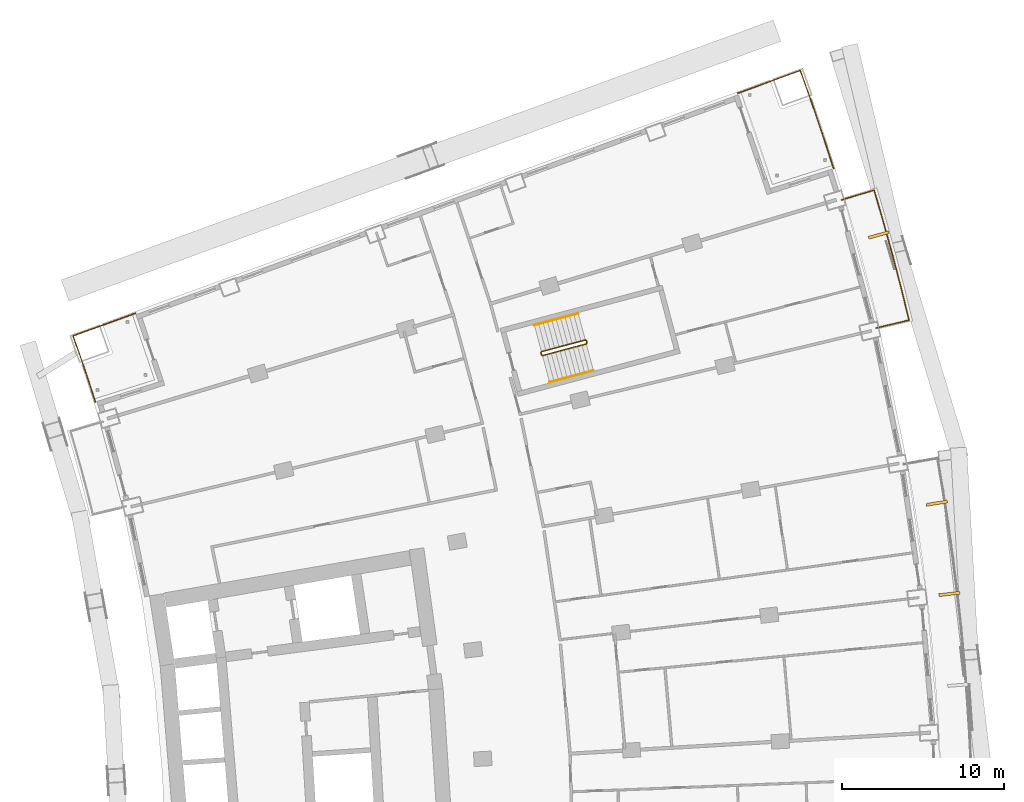
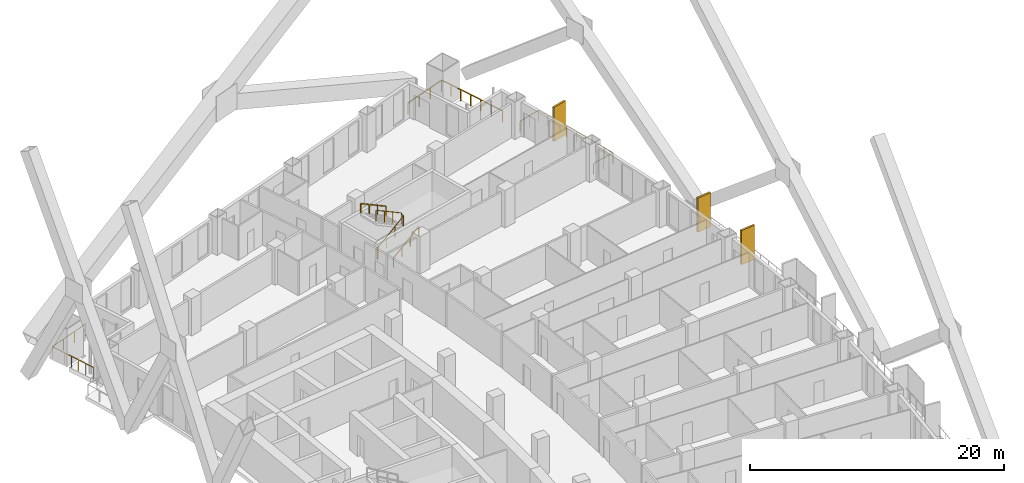
# One storey, part 25 of 25: 6 railings, 3 shading devices.
"""IFC4 building model written with IfcOpenShell, lengths in metres."""

from ifc_helpers import new_model, si_unit, direction, frame, origin, origin_2d, place, context, subcontext, project, spatial, rectangle, extrude, material, layer, layer_set, type_object, element, save


model = new_model("IFC4")

# Units and contexts
model_context = context("Model", 3, precision=1e-05, world=origin(), true_north=direction((0.0, 1.0)))
body_context = subcontext(model_context, "Body", "Model", "MODEL_VIEW")
ifc_project = project(units=[si_unit("LENGTHUNIT", "METRE"), si_unit("AREAUNIT", "SQUARE_METRE"), si_unit("VOLUMEUNIT", "CUBIC_METRE"), si_unit("PLANEANGLEUNIT", "RADIAN"), si_unit("MASSUNIT", "GRAM", prefix="KILO")], contexts=[model_context])

# Site, building, storey
site_placement = place(None, origin())
site = spatial("IfcSite", under=ifc_project, at=site_placement, CompositionType="ELEMENT")
building_placement = place(site_placement, origin())
building = spatial("IfcBuilding", under=site, at=building_placement, Name="Alderwake Tower", CompositionType="ELEMENT")
storey_placement = place(building_placement, frame((0.0, 0.0, 32.0)))
storey = spatial("IfcBuildingStorey", under=building, at=storey_placement, Name="L06", CompositionType="ELEMENT", Elevation=32.0)

# Railings
ifc_material_1 = material(Name="Stainless steel 316 rail and posts", Category="steel")
railing_type_1 = type_object("IfcRailingType", Name="Balcony guard 1100", PredefinedType="GUARDRAIL", material=ifc_material_1)
railing_1_placement = place(storey_placement, frame((59.88037109375, 94.345703125, 0.0)))
element("IfcRailing", 1, at=railing_1_placement, inside=storey, type_object=railing_type_1, Name="Guard BF11", PredefinedType="GUARDRAIL", context=body_context, shape_type="SweptSolid", body=[
    extrude(rectangle(XDim=0.048095703125, YDim=0.048095703125, at=origin_2d()), frame((0.0, 0.0, 1.076171875), z_axis=(0.972757543149, 0.231824852521, 0.0), x_axis=(-0.231824852521, 0.972757543149, 0.0)), (0.0, 0.0, 1.0), 2.099853515625),
    extrude(rectangle(XDim=0.048095703125, YDim=0.048095703125, at=origin_2d()), frame((2.042724609375, 0.48681640625, 1.076171875), z_axis=(-0.238624335731, 0.971111953586, 0.0), x_axis=(-0.971111953586, -0.238624335731, 0.0)), (0.0, 0.0, 1.0), 2.02783203125),
    extrude(rectangle(XDim=0.048095703125, YDim=0.048095703125, at=origin_2d()), frame((1.558837890625, 2.4560546875, 1.076171875), z_axis=(-0.252459268242, 0.967607522645, 0.0), x_axis=(-0.967607522645, -0.252459268242, 0.0)), (0.0, 0.0, 1.0), 2.12744140625),
    extrude(rectangle(XDim=0.048095703125, YDim=0.048095703125, at=origin_2d()), frame((1.021728515625, 4.5146484375, 1.076171875), z_axis=(-0.266542966144, 0.963823037284, 0.0), x_axis=(-0.963823037284, -0.266542966144, 0.0)), (0.0, 0.0, 1.0), 2.127685546875),
    extrude(rectangle(XDim=0.048095703125, YDim=0.048095703125, at=origin_2d()), frame((0.45458984375, 6.5654296875, 1.076171875), z_axis=(-0.280171060033, 0.959950090953, 0.0), x_axis=(-0.959950090953, -0.280171060033, 0.0)), (0.0, 0.0, 1.0), 2.02783203125),
    extrude(rectangle(XDim=0.048095703125, YDim=0.048095703125, at=origin_2d()), frame((-0.113525390625, 8.511962890625, 1.076171875), z_axis=(-0.957954179098, -0.286921227429, 0.0), x_axis=(0.286921227429, -0.957954179098, 0.0)), (0.0, 0.0, 1.0), 2.10009765625),
    extrude(rectangle(XDim=0.0419921875, YDim=0.0419921875, at=origin_2d()), frame((0.0, 0.0, 0.0), z_axis=(0.0, 0.0, 1.0), x_axis=(0.972757543149, 0.231824852521, 0.0)), (0.0, 0.0, 1.0), 1.052001953125),
    extrude(rectangle(XDim=0.0419921875, YDim=0.0419921875, at=origin_2d()), frame((1.021484375, 0.243408203125, 0.0), z_axis=(0.0, 0.0, 1.0), x_axis=(0.972757543149, 0.231824852521, 0.0)), (0.0, 0.0, 1.0), 1.052001953125),
    extrude(rectangle(XDim=0.0419921875, YDim=0.0419921875, at=origin_2d()), frame((2.042724609375, 0.48681640625, 0.0), z_axis=(0.0, 0.0, 1.0), x_axis=(-0.238624335731, 0.971111953586, 0.0)), (0.0, 0.0, 1.0), 1.052001953125),
    extrude(rectangle(XDim=0.0419921875, YDim=0.0419921875, at=origin_2d()), frame((1.80078125, 1.471435546875, 0.0), z_axis=(0.0, 0.0, 1.0), x_axis=(-0.238624335731, 0.971111953586, 0.0)), (0.0, 0.0, 1.0), 1.052001953125),
    extrude(rectangle(XDim=0.0419921875, YDim=0.0419921875, at=origin_2d()), frame((1.558837890625, 2.4560546875, 0.0), z_axis=(0.0, 0.0, 1.0), x_axis=(-0.252459268242, 0.967607522645, 0.0)), (0.0, 0.0, 1.0), 1.052001953125),
    extrude(rectangle(XDim=0.0419921875, YDim=0.0419921875, at=origin_2d()), frame((1.290283203125, 3.4853515625, 0.0), z_axis=(0.0, 0.0, 1.0), x_axis=(-0.252459268242, 0.967607522645, 0.0)), (0.0, 0.0, 1.0), 1.052001953125),
    extrude(rectangle(XDim=0.0419921875, YDim=0.0419921875, at=origin_2d()), frame((1.021728515625, 4.5146484375, 0.0), z_axis=(0.0, 0.0, 1.0), x_axis=(-0.266542966144, 0.963823037284, 0.0)), (0.0, 0.0, 1.0), 1.052001953125),
    extrude(rectangle(XDim=0.0419921875, YDim=0.0419921875, at=origin_2d()), frame((0.73828125, 5.5400390625, 0.0), z_axis=(0.0, 0.0, 1.0), x_axis=(-0.266542966144, 0.963823037284, 0.0)), (0.0, 0.0, 1.0), 1.052001953125),
    extrude(rectangle(XDim=0.0419921875, YDim=0.0419921875, at=origin_2d()), frame((0.45458984375, 6.5654296875, 0.0), z_axis=(0.0, 0.0, 1.0), x_axis=(-0.280171060033, 0.959950090953, 0.0)), (0.0, 0.0, 1.0), 1.052001953125),
    extrude(rectangle(XDim=0.0419921875, YDim=0.0419921875, at=origin_2d()), frame((0.17041015625, 7.53857421875, 0.0), z_axis=(0.0, 0.0, 1.0), x_axis=(-0.280171060033, 0.959950090953, 0.0)), (0.0, 0.0, 1.0), 1.052001953125),
    extrude(rectangle(XDim=0.0419921875, YDim=0.0419921875, at=origin_2d()), frame((-0.113525390625, 8.511962890625, 0.0), z_axis=(0.0, 0.0, 1.0), x_axis=(-0.957954179098, -0.286921227429, 0.0)), (0.0, 0.0, 1.0), 1.052001953125),
    extrude(rectangle(XDim=0.0419921875, YDim=0.0419921875, at=origin_2d()), frame((-1.119384765625, 8.210693359375, 0.0), z_axis=(0.0, 0.0, 1.0), x_axis=(-0.957954179098, -0.286921227429, 0.0)), (0.0, 0.0, 1.0), 1.052001953125),
    extrude(rectangle(XDim=0.0419921875, YDim=0.0419921875, at=origin_2d()), frame((-2.125244140625, 7.909423828125, 0.0), z_axis=(0.0, 0.0, 1.0), x_axis=(-0.957954179098, -0.286921227429, 0.0)), (0.0, 0.0, 1.0), 1.052001953125),
])
railing_2_placement = place(storey_placement, frame((57.2646484375, 104.193115234375, 0.0)))
element("IfcRailing", 2, at=railing_2_placement, inside=storey, type_object=railing_type_1, Name="Guard terrace FN", PredefinedType="GUARDRAIL", context=body_context, shape_type="SweptSolid", body=[
    extrude(rectangle(XDim=0.048095703125, YDim=0.048095703125, at=origin_2d()), frame((0.0, 0.0, 1.076171875), z_axis=(-0.307834426273, 0.951439943455, 0.0), x_axis=(-0.951439943455, -0.307834426273, 0.0)), (0.0, 0.0, 1.0), 2.29833984375),
    extrude(rectangle(XDim=0.048095703125, YDim=0.048095703125, at=origin_2d()), frame((-0.70751953125, 2.186767578125, 1.076171875), z_axis=(-0.322259361339, 0.946651416324, 0.0), x_axis=(-0.946651416324, -0.322259361339, 0.0)), (0.0, 0.0, 1.0), 2.0986328125),
    extrude(rectangle(XDim=0.048095703125, YDim=0.048095703125, at=origin_2d()), frame((-1.3837890625, 4.17333984375, 1.076171875), z_axis=(-0.335694014626, 0.941971086894, 0.0), x_axis=(-0.941971086894, -0.335694014626, 0.0)), (0.0, 0.0, 1.0), 1.99853515625),
    extrude(rectangle(XDim=0.048095703125, YDim=0.048095703125, at=origin_2d()), frame((-2.0546875, 6.055908203125, 1.076171875), z_axis=(-0.939598546558, -0.342278499627, 0.0), x_axis=(0.342278499627, -0.939598546558, 0.0)), (0.0, 0.0, 1.0), 4.099853515625),
    extrude(rectangle(XDim=0.0419921875, YDim=0.0419921875, at=origin_2d()), frame((0.0, 0.0, 0.0), z_axis=(0.0, 0.0, 1.0), x_axis=(-0.307834426273, 0.951439943455, 0.0)), (0.0, 0.0, 1.0), 1.052001953125),
    extrude(rectangle(XDim=0.0419921875, YDim=0.0419921875, at=origin_2d()), frame((-0.353759765625, 1.09326171875, 0.0), z_axis=(0.0, 0.0, 1.0), x_axis=(-0.307834426273, 0.951439943455, 0.0)), (0.0, 0.0, 1.0), 1.052001953125),
    extrude(rectangle(XDim=0.0419921875, YDim=0.0419921875, at=origin_2d()), frame((-0.70751953125, 2.186767578125, 0.0), z_axis=(0.0, 0.0, 1.0), x_axis=(-0.322259361339, 0.946651416324, 0.0)), (0.0, 0.0, 1.0), 1.052001953125),
    extrude(rectangle(XDim=0.0419921875, YDim=0.0419921875, at=origin_2d()), frame((-1.045654296875, 3.18017578125, 0.0), z_axis=(0.0, 0.0, 1.0), x_axis=(-0.322259361339, 0.946651416324, 0.0)), (0.0, 0.0, 1.0), 1.052001953125),
    extrude(rectangle(XDim=0.0419921875, YDim=0.0419921875, at=origin_2d()), frame((-1.3837890625, 4.17333984375, 0.0), z_axis=(0.0, 0.0, 1.0), x_axis=(-0.335694014626, 0.941971086894, 0.0)), (0.0, 0.0, 1.0), 1.052001953125),
    extrude(rectangle(XDim=0.0419921875, YDim=0.0419921875, at=origin_2d()), frame((-1.71923828125, 5.11474609375, 0.0), z_axis=(0.0, 0.0, 1.0), x_axis=(-0.335694014626, 0.941971086894, 0.0)), (0.0, 0.0, 1.0), 1.052001953125),
    extrude(rectangle(XDim=0.0419921875, YDim=0.0419921875, at=origin_2d()), frame((-2.0546875, 6.055908203125, 0.0), z_axis=(0.0, 0.0, 1.0), x_axis=(-0.939598546558, -0.342278499627, 0.0)), (0.0, 0.0, 1.0), 1.052001953125),
    extrude(rectangle(XDim=0.0419921875, YDim=0.0419921875, at=origin_2d()), frame((-3.3388671875, 5.588134765625, 0.0), z_axis=(0.0, 0.0, 1.0), x_axis=(-0.939598546558, -0.342278499627, 0.0)), (0.0, 0.0, 1.0), 1.052001953125),
    extrude(rectangle(XDim=0.0419921875, YDim=0.0419921875, at=origin_2d()), frame((-4.622802734375, 5.120361328125, 0.0), z_axis=(0.0, 0.0, 1.0), x_axis=(-0.939598546558, -0.342278499627, 0.0)), (0.0, 0.0, 1.0), 1.052001953125),
    extrude(rectangle(XDim=0.0419921875, YDim=0.0419921875, at=origin_2d()), frame((-5.906982421875, 4.652587890625, 0.0), z_axis=(0.0, 0.0, 1.0), x_axis=(-0.939598546558, -0.342278499627, 0.0)), (0.0, 0.0, 1.0), 1.052001953125),
])
railing_3_placement = place(storey_placement, frame((11.688720703125, 89.781982421875, 0.0)))
element("IfcRailing", 3, at=railing_3_placement, inside=storey, type_object=railing_type_1, Name="Guard terrace RN", PredefinedType="GUARDRAIL", context=body_context, shape_type="SweptSolid", body=[
    extrude(rectangle(XDim=0.048095703125, YDim=0.048095703125, at=origin_2d()), frame((0.0, 0.0, 1.076171875), z_axis=(-0.307479326145, 0.951554761426, 0.0), x_axis=(-0.951554761426, -0.307479326145, 0.0)), (0.0, 0.0, 1.0), 1.6015625),
    extrude(rectangle(XDim=0.048095703125, YDim=0.048095703125, at=origin_2d()), frame((-0.492431640625, 1.52392578125, 1.076171875), z_axis=(-0.322283727344, 0.946643121292, 0.0), x_axis=(-0.946643121292, -0.322283727344, 0.0)), (0.0, 0.0, 1.0), 1.4013671875),
    extrude(rectangle(XDim=0.048095703125, YDim=0.048095703125, at=origin_2d()), frame((-0.944091796875, 2.8505859375, 1.076171875), z_axis=(-0.335468607403, 0.942051385778, 0.0), x_axis=(-0.942051385778, -0.335468607403, 0.0)), (0.0, 0.0, 1.0), 1.30126953125),
    extrude(rectangle(XDim=0.048095703125, YDim=0.048095703125, at=origin_2d()), frame((-1.380615234375, 4.076416015625, 1.076171875), z_axis=(0.939708203232, 0.341977327873, 0.0), x_axis=(-0.341977327873, 0.939708203232, 0.0)), (0.0, 0.0, 1.0), 4.10009765625),
    extrude(rectangle(XDim=0.0419921875, YDim=0.0419921875, at=origin_2d()), frame((0.0, 0.0, 0.0), z_axis=(0.0, 0.0, 1.0), x_axis=(-0.307479326145, 0.951554761426, 0.0)), (0.0, 0.0, 1.0), 1.052001953125),
    extrude(rectangle(XDim=0.0419921875, YDim=0.0419921875, at=origin_2d()), frame((-0.24609375, 0.761962890625, 0.0), z_axis=(0.0, 0.0, 1.0), x_axis=(-0.307479326145, 0.951554761426, 0.0)), (0.0, 0.0, 1.0), 1.052001953125),
    extrude(rectangle(XDim=0.0419921875, YDim=0.0419921875, at=origin_2d()), frame((-0.492431640625, 1.52392578125, 0.0), z_axis=(0.0, 0.0, 1.0), x_axis=(-0.322283727344, 0.946643121292, 0.0)), (0.0, 0.0, 1.0), 1.052001953125),
    extrude(rectangle(XDim=0.0419921875, YDim=0.0419921875, at=origin_2d()), frame((-0.71826171875, 2.187255859375, 0.0), z_axis=(0.0, 0.0, 1.0), x_axis=(-0.322283727344, 0.946643121292, 0.0)), (0.0, 0.0, 1.0), 1.052001953125),
    extrude(rectangle(XDim=0.0419921875, YDim=0.0419921875, at=origin_2d()), frame((-0.944091796875, 2.8505859375, 0.0), z_axis=(0.0, 0.0, 1.0), x_axis=(-0.335468607403, 0.942051385778, 0.0)), (0.0, 0.0, 1.0), 1.052001953125),
    extrude(rectangle(XDim=0.0419921875, YDim=0.0419921875, at=origin_2d()), frame((-1.380615234375, 4.076416015625, 0.0), z_axis=(0.0, 0.0, 1.0), x_axis=(0.939708203232, 0.341977327873, 0.0)), (0.0, 0.0, 1.0), 1.052001953125),
    extrude(rectangle(XDim=0.0419921875, YDim=0.0419921875, at=origin_2d()), frame((-0.096435546875, 4.543701171875, 0.0), z_axis=(0.0, 0.0, 1.0), x_axis=(0.939708203232, 0.341977327873, 0.0)), (0.0, 0.0, 1.0), 1.052001953125),
    extrude(rectangle(XDim=0.0419921875, YDim=0.0419921875, at=origin_2d()), frame((1.18798828125, 5.01123046875, 0.0), z_axis=(0.0, 0.0, 1.0), x_axis=(0.939708203232, 0.341977327873, 0.0)), (0.0, 0.0, 1.0), 1.052001953125),
    extrude(rectangle(XDim=0.0419921875, YDim=0.0419921875, at=origin_2d()), frame((2.47216796875, 5.478515625, 0.0), z_axis=(0.0, 0.0, 1.0), x_axis=(0.939708203232, 0.341977327873, 0.0)), (0.0, 0.0, 1.0), 1.052001953125),
])

# Shading devices
ifc_material_2 = material(Name="Bronze anodised aluminium", Category="aluminium")
ifc_layer = layer(ifc_material_2, 0.179931640625)
ifc_layer_set = layer_set([ifc_layer], Name="Facade fin 1300")
shading_device_type = type_object("IfcShadingDeviceType", Name="Facade fin 1300", PredefinedType="USERDEFINED", material=ifc_layer_set)
for number, where, z_axis, x_axis, name in (
    (4, (64.410888671875, 77.9296875, 0.0), (0.0, 0.0, 1.0), (0.993198315083, 0.116434990084, 0.0), "Fin"),
    (5, (63.643310546875, 83.533203125, 0.0), (0.0, 0.0, 1.0), (0.987918787879, 0.154972476771, 0.0), "Fin"),
    (6, (60.046630859375, 100.0908203125, 0.0), (0.0, 0.0, 1.0), (0.96318180783, 0.268850897459, 0.0), "Fin"),
):
    element("IfcShadingDevice", number, at=place(storey_placement, frame(where, z_axis=z_axis, x_axis=x_axis)), inside=storey, type_object=shading_device_type, Name=name, ObjectType="FIN", PredefinedType="USERDEFINED", context=body_context, shape_type="SweptSolid", body=[
        extrude(rectangle(XDim=1.300048828125, YDim=0.179931640625, at=origin_2d()), origin(), (0.0, 0.0, 1.0), 3.280029296875),
    ])

# Railings
ifc_material_3 = material(Name="Stainless steel guard", Category="steel")
railing_type_2 = type_object("IfcRailingType", Name="Stair guard 1100", PredefinedType="GUARDRAIL", material=ifc_material_3)
railing_4_placement = place(storey_placement, frame((39.23291015625, 92.6806640625, 0.0)))
element("IfcRailing", 7, at=railing_4_placement, inside=storey, type_object=railing_type_2, Name="L06 ST-A stair guard 1", PredefinedType="GUARDRAIL", context=body_context, shape_type="SweptSolid", body=[
    extrude(rectangle(XDim=0.048095703125, YDim=0.048095703125, at=origin_2d()), frame((0.0, 0.0, 1.076171875), z_axis=(-0.257055032184, 0.966396766566, 0.0), x_axis=(-0.966396766566, -0.257055032184, 0.0)), (0.0, 0.0, 1.0), 0.150146484375),
    extrude(rectangle(XDim=0.048095703125, YDim=0.048095703125, at=origin_2d()), frame((-0.03857421875, 0.14501953125, 1.076171875), z_axis=(0.379370725808, -0.685464465458, 0.621463047167), x_axis=(0.874937996095, 0.484234966715, 0.0)), (0.0, 0.0, 1.0), 0.26318359375),
    extrude(rectangle(XDim=0.048095703125, YDim=0.048095703125, at=origin_2d()), frame((0.061279296875, -0.035400390625, 1.23974609375), z_axis=(0.834258940753, 0.22222815314, 0.504605457487), x_axis=(-0.257402139082, 0.966304371715, 0.0)), (0.0, 0.0, 1.0), 3.2431640625),
    extrude(rectangle(XDim=0.048095703125, YDim=0.048095703125, at=origin_2d()), frame((2.766845703125, 0.685302734375, 2.8759765625), z_axis=(0.500220121494, 0.865898279276, 0.0), x_axis=(-0.865898279276, 0.500220121494, 0.0)), (0.0, 0.0, 1.0), 0.07080078125),
    extrude(rectangle(XDim=0.048095703125, YDim=0.048095703125, at=origin_2d()), frame((2.80224609375, 0.74658203125, 2.8759765625), z_axis=(-0.257459803502, 0.966289009345, 0.0), x_axis=(-0.966289009345, -0.257459803502, 0.0)), (0.0, 0.0, 1.0), 0.14990234375),
    extrude(rectangle(XDim=0.048095703125, YDim=0.048095703125, at=origin_2d()), frame((2.763671875, 0.891357421875, 2.8759765625), z_axis=(-0.34252489212, 0.200034536998, 0.917966710881), x_axis=(-0.504300490226, -0.863528236688, 0.0)), (0.0, 0.0, 1.0), 0.17822265625),
    extrude(rectangle(XDim=0.048095703125, YDim=0.048095703125, at=origin_2d()), frame((2.70263671875, 0.927001953125, 3.03955078125), z_axis=(-0.834281824786, -0.222214197128, 0.504573768072), x_axis=(0.257380452725, -0.966310148221, 0.0)), (0.0, 0.0, 1.0), 3.2431640625),
    extrude(rectangle(XDim=0.0419921875, YDim=0.0419921875, at=origin_2d()), frame((0.0, 0.0, 0.0), z_axis=(0.0, 0.0, 1.0), x_axis=(-0.257055032184, 0.966396766566, 0.0)), (0.0, 0.0, 1.0), 1.052001953125),
    extrude(rectangle(XDim=0.0419921875, YDim=0.0419921875, at=origin_2d()), frame((-0.03857421875, 0.14501953125, 0.0), z_axis=(0.0, 0.0, 1.0), x_axis=(0.484234966715, -0.874937996095, 0.0)), (0.0, 0.0, 1.0), 1.052001953125),
    extrude(rectangle(XDim=0.0419921875, YDim=0.0419921875, at=origin_2d()), frame((0.061279296875, -0.035400390625, 0.16357421875), z_axis=(0.0, 0.0, 1.0), x_axis=(0.966304371715, 0.257402139082, 0.0)), (0.0, 0.0, 1.0), 1.052001953125),
    extrude(rectangle(XDim=0.0419921875, YDim=0.0419921875, at=origin_2d()), frame((0.963134765625, 0.204833984375, 0.708984375), z_axis=(0.0, 0.0, 1.0), x_axis=(0.966304371715, 0.257402139082, 0.0)), (0.0, 0.0, 1.0), 1.052001953125),
    extrude(rectangle(XDim=0.0419921875, YDim=0.0419921875, at=origin_2d()), frame((1.864990234375, 0.445068359375, 1.254638671875), z_axis=(0.0, 0.0, 1.0), x_axis=(0.966304371715, 0.257402139082, 0.0)), (0.0, 0.0, 1.0), 1.052001953125),
    extrude(rectangle(XDim=0.0419921875, YDim=0.0419921875, at=origin_2d()), frame((2.766845703125, 0.685302734375, 1.800048828125), z_axis=(0.0, 0.0, 1.0), x_axis=(0.500220121494, 0.865898279276, 0.0)), (0.0, 0.0, 1.0), 1.052001953125),
    extrude(rectangle(XDim=0.0419921875, YDim=0.0419921875, at=origin_2d()), frame((2.80224609375, 0.74658203125, 1.800048828125), z_axis=(0.0, 0.0, 1.0), x_axis=(-0.257459803502, 0.966289009345, 0.0)), (0.0, 0.0, 1.0), 1.052001953125),
    extrude(rectangle(XDim=0.0419921875, YDim=0.0419921875, at=origin_2d()), frame((2.763671875, 0.891357421875, 1.800048828125), z_axis=(0.0, 0.0, 1.0), x_axis=(-0.863528236688, 0.504300490226, 0.0)), (0.0, 0.0, 1.0), 1.052001953125),
    extrude(rectangle(XDim=0.0419921875, YDim=0.0419921875, at=origin_2d()), frame((2.70263671875, 0.927001953125, 1.963623046875), z_axis=(0.0, 0.0, 1.0), x_axis=(-0.966310148221, -0.257380452725, 0.0)), (0.0, 0.0, 1.0), 1.052001953125),
    extrude(rectangle(XDim=0.0419921875, YDim=0.0419921875, at=origin_2d()), frame((1.80078125, 0.686767578125, 2.509033203125), z_axis=(0.0, 0.0, 1.0), x_axis=(-0.966310148221, -0.257380452725, 0.0)), (0.0, 0.0, 1.0), 1.052001953125),
    extrude(rectangle(XDim=0.0419921875, YDim=0.0419921875, at=origin_2d()), frame((0.898681640625, 0.446533203125, 3.0546875), z_axis=(0.0, 0.0, 1.0), x_axis=(-0.966310148221, -0.257380452725, 0.0)), (0.0, 0.0, 1.0), 1.052001953125),
    extrude(rectangle(XDim=0.0419921875, YDim=0.0419921875, at=origin_2d()), frame((-0.003173828125, 0.206298828125, 3.60009765625), z_axis=(0.0, 0.0, 1.0), x_axis=(-0.966310148221, -0.257380452725, 0.0)), (0.0, 0.0, 1.0), 1.052001953125),
])
ifc_material_4 = material(Name="Stainless steel handrail", Category="steel")
railing_type_3 = type_object("IfcRailingType", Name="Stair handrail 900", PredefinedType="HANDRAIL", material=ifc_material_4)
railing_5_placement = place(storey_placement, frame((39.731689453125, 91.002685546875, 0.16357421875)))
element("IfcRailing", 8, at=railing_5_placement, inside=storey, type_object=railing_type_3, Name="L06 ST-A stair handrail 1", PredefinedType="HANDRAIL", context=body_context, shape_type="SweptSolid", body=[
    extrude(rectangle(XDim=0.048095703125, YDim=0.048095703125, at=origin_2d()), frame((0.0, 0.0, 0.8759765625), z_axis=(0.834258940753, 0.22222815314, 0.504605457487), x_axis=(-0.257402139082, 0.966304371715, 0.0)), (0.0, 0.0, 1.0), 3.2431640625),
    extrude(rectangle(XDim=0.0419921875, YDim=0.0419921875, at=origin_2d()), frame((0.0, 0.0, 0.0), z_axis=(0.0, 0.0, 1.0), x_axis=(0.966304371715, 0.257402139082, 0.0)), (0.0, 0.0, 1.0), 0.851806640625),
    extrude(rectangle(XDim=0.0419921875, YDim=0.0419921875, at=origin_2d()), frame((0.90185546875, 0.240234375, 0.54541015625), z_axis=(0.0, 0.0, 1.0), x_axis=(0.966304371715, 0.257402139082, 0.0)), (0.0, 0.0, 1.0), 0.851806640625),
    extrude(rectangle(XDim=0.0419921875, YDim=0.0419921875, at=origin_2d()), frame((1.8037109375, 0.48046875, 1.091064453125), z_axis=(0.0, 0.0, 1.0), x_axis=(0.966304371715, 0.257402139082, 0.0)), (0.0, 0.0, 1.0), 0.851806640625),
    extrude(rectangle(XDim=0.0419921875, YDim=0.0419921875, at=origin_2d()), frame((2.70556640625, 0.720703125, 1.636474609375), z_axis=(0.0, 0.0, 1.0), x_axis=(0.966304371715, 0.257402139082, 0.0)), (0.0, 0.0, 1.0), 0.851806640625),
])
railing_6_placement = place(storey_placement, frame((41.497802734375, 95.250244140625, 1.963623046875)))
element("IfcRailing", 9, at=railing_6_placement, inside=storey, type_object=railing_type_3, Name="L06 ST-A stair handrail 2", PredefinedType="HANDRAIL", context=body_context, shape_type="SweptSolid", body=[
    extrude(rectangle(XDim=0.048095703125, YDim=0.048095703125, at=origin_2d()), frame((0.0, 0.0, 0.8759765625), z_axis=(-0.834258940753, -0.22222815314, 0.504605457487), x_axis=(0.257402139082, -0.966304371715, 0.0)), (0.0, 0.0, 1.0), 3.2431640625),
    extrude(rectangle(XDim=0.0419921875, YDim=0.0419921875, at=origin_2d()), frame((0.0, 0.0, 0.0), z_axis=(0.0, 0.0, 1.0), x_axis=(-0.966304371715, -0.257402139082, 0.0)), (0.0, 0.0, 1.0), 0.851806640625),
    extrude(rectangle(XDim=0.0419921875, YDim=0.0419921875, at=origin_2d()), frame((-0.90185546875, -0.240234375, 0.54541015625), z_axis=(0.0, 0.0, 1.0), x_axis=(-0.966304371715, -0.257402139082, 0.0)), (0.0, 0.0, 1.0), 0.851806640625),
    extrude(rectangle(XDim=0.0419921875, YDim=0.0419921875, at=origin_2d()), frame((-1.8037109375, -0.48046875, 1.091064453125), z_axis=(0.0, 0.0, 1.0), x_axis=(-0.966304371715, -0.257402139082, 0.0)), (0.0, 0.0, 1.0), 0.851806640625),
    extrude(rectangle(XDim=0.0419921875, YDim=0.0419921875, at=origin_2d()), frame((-2.70556640625, -0.720703125, 1.636474609375), z_axis=(0.0, 0.0, 1.0), x_axis=(-0.966304371715, -0.257402139082, 0.0)), (0.0, 0.0, 1.0), 0.851806640625),
])

save(model, "model.ifc")
